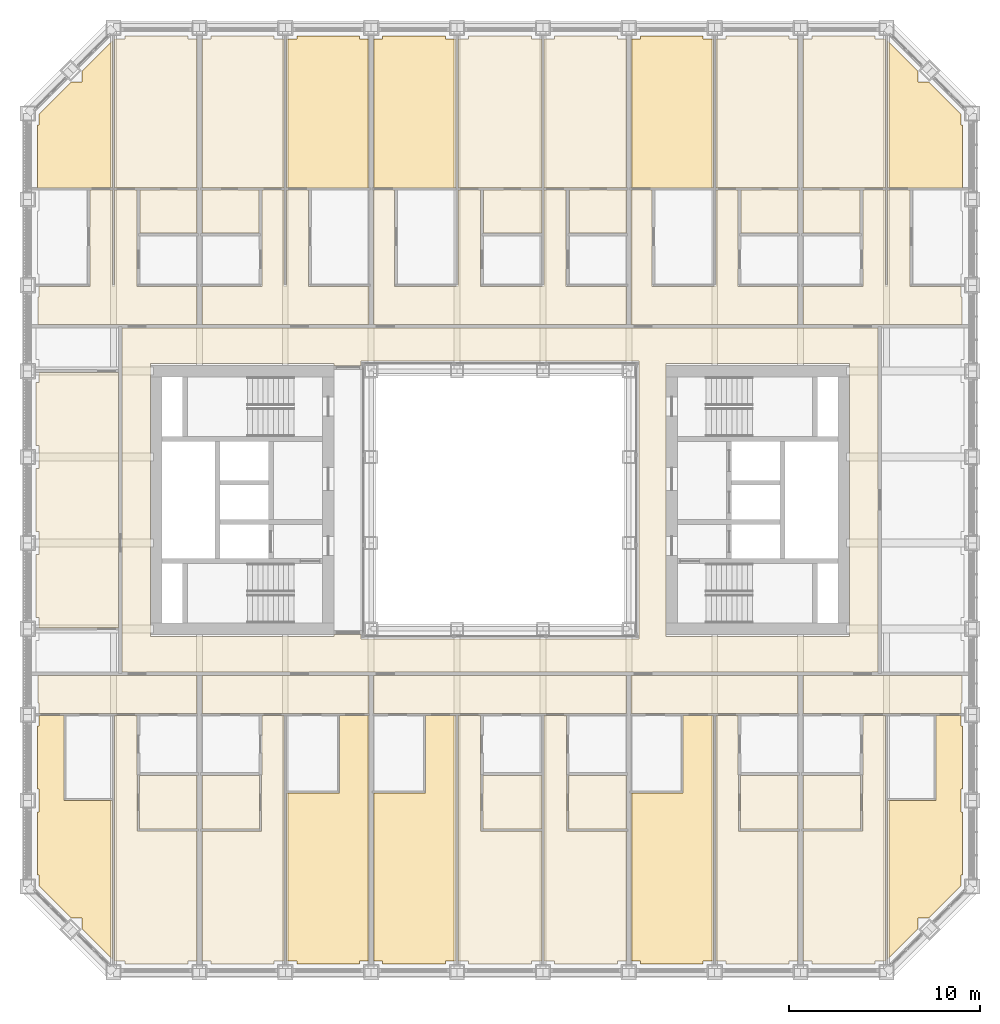
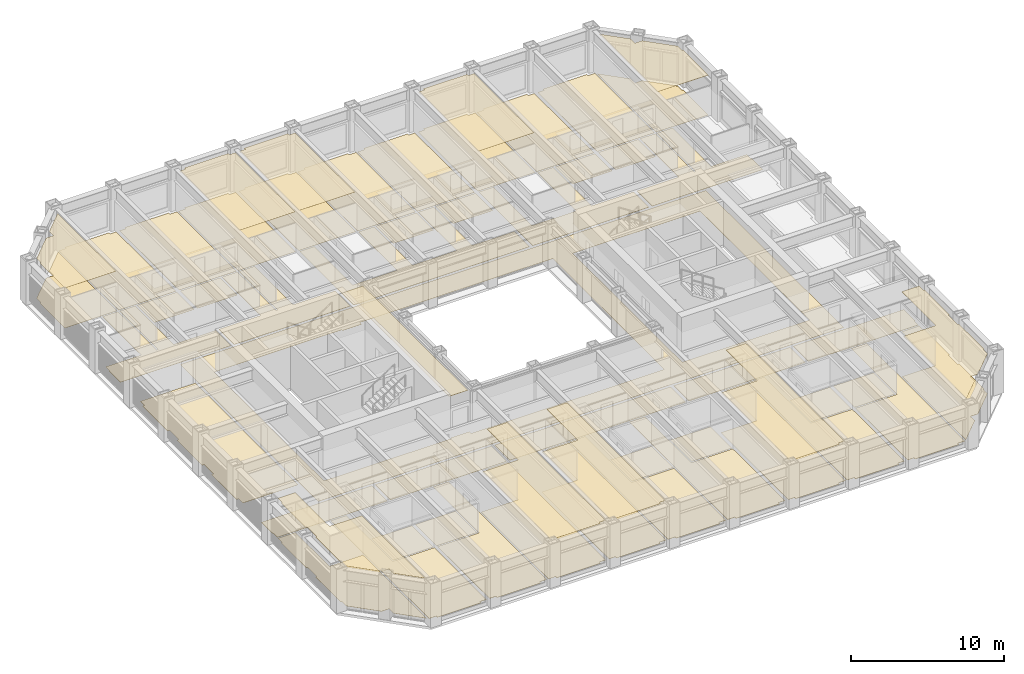
# One storey, part 19 of 21: 3 coverings.
"""IFC4 building model written with IfcOpenShell, lengths in metres."""

from ifc_helpers import new_model, si_unit, direction, frame, origin, place, context, subcontext, project, spatial, line, indexed_curve, outline, extrude, material, layer, layer_set, type_object, element, save


model = new_model("IFC4")

# Units and contexts
model_context = context("Model", 3, precision=1e-05, world=origin(), true_north=direction((0.0, 1.0)))
body_context = subcontext(model_context, "Body", "Model", "MODEL_VIEW")
ifc_project = project(units=[si_unit("LENGTHUNIT", "METRE"), si_unit("AREAUNIT", "SQUARE_METRE"), si_unit("VOLUMEUNIT", "CUBIC_METRE"), si_unit("PLANEANGLEUNIT", "RADIAN"), si_unit("MASSUNIT", "GRAM", prefix="KILO")], contexts=[model_context])

# Site, building, storey
site_placement = place(None, origin())
site = spatial("IfcSite", under=ifc_project, at=site_placement, CompositionType="ELEMENT")
building_placement = place(site_placement, origin())
building = spatial("IfcBuilding", under=site, at=building_placement, Name="Msasa Ring Tower", CompositionType="ELEMENT")
storey_placement = place(building_placement, frame((0.0, 0.0, 51.0)))
storey = spatial("IfcBuildingStorey", under=building, at=storey_placement, Name="L12", CompositionType="ELEMENT", Elevation=51.0)

# Coverings
ifc_material_1 = material(Name="Gypsum plasterboard on a steel suspension grid", Category="steel")
ifc_layer_1 = layer(ifc_material_1, 0.014892578125)
ifc_layer_set_1 = layer_set([ifc_layer_1], Name="C1 SUSPENDED PLASTERBOARD CEILING 15")
covering_type_1 = type_object("IfcCoveringType", Name="C1 SUSPENDED PLASTERBOARD CEILING 15", PredefinedType="CEILING", material=ifc_layer_set_1)
covering_1_placement = place(storey_placement, frame((0.0, 0.0, 3.175048828125)))
element("IfcCovering", 1, at=covering_1_placement, inside=storey, type_object=covering_type_1, Name="Suspended Plasterboard Ceiling 15 public rooms L12", PredefinedType="CEILING", context=body_context, shape_type="SweptSolid", body=[
    extrude(outline(indexed_curve([(-21.8994140625, -22.46337890625), (-21.8994140625, -21.8994140625), (-22.46337890625, -21.8994140625), (-24.1494140625, -20.21337890625), (-24.1494140625, -19.6494140625), (-24.239501953125, -19.6494140625), (-24.239501953125, -16.3505859375), (-24.1494140625, -16.3505859375), (-24.1494140625, -15.1494140625), (-24.239501953125, -15.1494140625), (-24.239501953125, -11.8505859375), (-24.1494140625, -11.8505859375), (-24.1494140625, -11.300537109375), (-22.8505859375, -11.300537109375), (-22.8505859375, -15.74267578125), (-20.404296875, -15.74267578125), (-20.404296875, -23.95849609375)], segments=[line(1, 2, 3, 4, 5, 6, 7, 8, 9, 10, 11, 12, 13, 14, 15, 16, 17, 1)], self_intersect=False)), origin(), (0.0, 0.0, 1.0), 0.014892578125),
    extrude(outline(indexed_curve([(-24.239501953125, 16.35546875), (-24.239501953125, 19.6494140625), (-24.1494140625, 19.6494140625), (-24.1494140625, 20.21337890625), (-22.46337890625, 21.8994140625), (-21.8994140625, 21.8994140625), (-21.8994140625, 22.46337890625), (-20.404296875, 23.95849609375), (-20.404296875, 16.35546875)], segments=[line(1, 2, 3, 4, 5, 6, 7, 8, 9, 1)], self_intersect=False)), origin(), (0.0, 0.0, 1.0), 0.014892578125),
    extrude(outline(indexed_curve([(-8.3994140625, -11.300537109375), (-6.904296875, -11.300537109375), (-6.904296875, -24.1494140625), (-7.3505859375, -24.1494140625), (-7.3505859375, -24.299560546875), (-10.6494140625, -24.299560546875), (-10.6494140625, -24.1494140625), (-11.095703125, -24.1494140625), (-11.095703125, -15.3505859375), (-8.3994140625, -15.3505859375)], segments=[line(1, 2, 3, 4, 5, 6, 7, 8, 9, 10, 1)], self_intersect=False)), origin(), (0.0, 0.0, 1.0), 0.014892578125),
    extrude(outline(indexed_curve([(-11.095703125, 16.35546875), (-11.095703125, 24.1494140625), (-10.6494140625, 24.1494140625), (-10.6494140625, 24.299560546875), (-7.3505859375, 24.299560546875), (-7.3505859375, 24.1494140625), (-6.904296875, 24.1494140625), (-6.904296875, 16.35546875)], segments=[line(1, 2, 3, 4, 5, 6, 7, 8, 1)], self_intersect=False)), origin(), (0.0, 0.0, 1.0), 0.014892578125),
    extrude(outline(indexed_curve([(-8.699462890625, -6.849609375), (-8.699462890625, 6.849609375), (-7.280029296875, 6.849609375), (-7.280029296875, -6.849609375)], segments=[line(1, 2, 3, 4, 1)], self_intersect=False)), origin(), (0.0, 0.0, 1.0), 0.014892578125),
    extrude(outline(indexed_curve([(-2.404296875, -11.300537109375), (-2.404296875, -24.1494140625), (-2.8505859375, -24.1494140625), (-2.8505859375, -24.299560546875), (-6.1494140625, -24.299560546875), (-6.1494140625, -24.1494140625), (-6.595703125, -24.1494140625), (-6.595703125, -15.3505859375), (-3.8994140625, -15.3505859375), (-3.8994140625, -11.300537109375)], segments=[line(1, 2, 3, 4, 5, 6, 7, 8, 9, 10, 1)], self_intersect=False)), origin(), (0.0, 0.0, 1.0), 0.014892578125),
    extrude(outline(indexed_curve([(-6.595703125, 16.35546875), (-6.595703125, 24.1494140625), (-6.1494140625, 24.1494140625), (-6.1494140625, 24.299560546875), (-2.8505859375, 24.299560546875), (-2.8505859375, 24.1494140625), (-2.404296875, 24.1494140625), (-2.404296875, 16.35546875)], segments=[line(1, 2, 3, 4, 5, 6, 7, 8, 1)], self_intersect=False)), origin(), (0.0, 0.0, 1.0), 0.014892578125),
    extrude(outline(indexed_curve([(11.095703125, -11.300537109375), (11.095703125, -24.1494140625), (10.6494140625, -24.1494140625), (10.6494140625, -24.299560546875), (7.3505859375, -24.299560546875), (7.3505859375, -24.1494140625), (6.904296875, -24.1494140625), (6.904296875, -15.3505859375), (9.6005859375, -15.3505859375), (9.6005859375, -11.300537109375)], segments=[line(1, 2, 3, 4, 5, 6, 7, 8, 9, 10, 1)], self_intersect=False)), origin(), (0.0, 0.0, 1.0), 0.014892578125),
    extrude(outline(indexed_curve([(6.904296875, 16.35546875), (6.904296875, 24.1494140625), (7.3505859375, 24.1494140625), (7.3505859375, 24.299560546875), (10.6494140625, 24.299560546875), (10.6494140625, 24.1494140625), (11.095703125, 24.1494140625), (11.095703125, 16.35546875)], segments=[line(1, 2, 3, 4, 5, 6, 7, 8, 1)], self_intersect=False)), origin(), (0.0, 0.0, 1.0), 0.014892578125),
    extrude(outline(indexed_curve([(22.8505859375, -11.300537109375), (24.1494140625, -11.300537109375), (24.1494140625, -11.8505859375), (24.239501953125, -11.8505859375), (24.239501953125, -15.1494140625), (24.1494140625, -15.1494140625), (24.1494140625, -16.3505859375), (24.239501953125, -16.3505859375), (24.239501953125, -19.6494140625), (24.1494140625, -19.6494140625), (24.1494140625, -20.21337890625), (22.46337890625, -21.8994140625), (21.8994140625, -21.8994140625), (21.8994140625, -22.46337890625), (20.404296875, -23.95849609375), (20.404296875, -15.74267578125), (22.8505859375, -15.74267578125)], segments=[line(1, 2, 3, 4, 5, 6, 7, 8, 9, 10, 11, 12, 13, 14, 15, 16, 17, 1)], self_intersect=False)), origin(), (0.0, 0.0, 1.0), 0.014892578125),
    extrude(outline(indexed_curve([(20.404296875, 16.35546875), (20.404296875, 23.95849609375), (21.8994140625, 22.46337890625), (21.8994140625, 21.8994140625), (22.46337890625, 21.8994140625), (24.1494140625, 20.21337890625), (24.1494140625, 19.6494140625), (24.239501953125, 19.6494140625), (24.239501953125, 16.35546875)], segments=[line(1, 2, 3, 4, 5, 6, 7, 8, 9, 1)], self_intersect=False)), origin(), (0.0, 0.0, 1.0), 0.014892578125),
])
ifc_material_2 = material(Name="Wool-blend carpet on felt underlay", Category="textile")
ifc_layer_2 = layer(ifc_material_2, 0.011962890625)
ifc_layer_set_2 = layer_set([ifc_layer_2], Name="F2 CARPET ON UNDERLAY 12")
covering_type_2 = type_object("IfcCoveringType", Name="F2 CARPET ON UNDERLAY 12", PredefinedType="FLOORING", material=ifc_layer_set_2)
covering_2_placement = place(storey_placement, origin())
element("IfcCovering", 2, at=covering_2_placement, inside=storey, type_object=covering_type_2, Name="Carpet On Underlay 12 L12", PredefinedType="FLOORING", context=body_context, shape_type="SweptSolid", body=[
    extrude(outline(indexed_curve([(-24.239501953125, -16.3505859375), (-24.1494140625, -16.3505859375), (-24.1494140625, -15.1494140625), (-24.239501953125, -15.1494140625), (-24.239501953125, -11.8505859375), (-24.1494140625, -11.8505859375), (-24.1494140625, -11.300537109375), (-22.8505859375, -11.300537109375), (-22.8505859375, -15.74267578125), (-20.310546875, -15.74267578125), (-20.310546875, -24.052490234375), (-21.8994140625, -22.46337890625), (-21.8994140625, -21.8994140625), (-22.46337890625, -21.8994140625), (-24.1494140625, -20.21337890625), (-24.1494140625, -19.6494140625), (-24.239501953125, -19.6494140625)], segments=[line(1, 2, 3, 4, 5, 6, 7, 8, 9, 10, 11, 12, 13, 14, 15, 16, 17, 1)], self_intersect=False)), origin(), (0.0, 0.0, 1.0), 0.011962890625),
    extrude(outline(indexed_curve([(-22.46337890625, 21.8994140625), (-21.8994140625, 21.8994140625), (-21.8994140625, 22.46337890625), (-20.310546875, 24.052490234375), (-20.310546875, 16.35546875), (-24.239501953125, 16.35546875), (-24.239501953125, 19.6494140625), (-24.1494140625, 19.6494140625), (-24.1494140625, 20.21337890625)], segments=[line(1, 2, 3, 4, 5, 6, 7, 8, 9, 1)], self_intersect=False)), origin(), (0.0, 0.0, 1.0), 0.011962890625),
    extrude(outline(indexed_curve([(-19.799560546875, -8.99951171875), (-19.799560546875, 8.99951171875), (19.799560546875, 8.99951171875), (19.799560546875, -8.99951171875)], segments=[line(1, 2, 3, 4, 1)], self_intersect=False), holes=[indexed_curve([(18.300537109375, -7.150390625), (18.300537109375, 7.150390625), (8.699462890625, 7.150390625), (8.699462890625, -7.150390625)], segments=[line(1, 2, 3, 4, 1)], self_intersect=False), indexed_curve([(-8.699462890625, 7.150390625), (-18.300537109375, 7.150390625), (-18.300537109375, -7.150390625), (-8.699462890625, -7.150390625), (-8.699462890625, -7.050537109375), (-7.280029296875, -7.050537109375), (-7.275390625, -7.275390625), (-7.22998046875, -7.280029296875), (7.275390625, -7.275390625), (7.275390625, 7.275390625), (-7.22998046875, 7.280029296875), (-7.275390625, 7.275390625), (-7.280029296875, 7.050537109375), (-8.699462890625, 7.050537109375)], segments=[line(1, 2, 3, 4, 5, 6, 7, 8, 9, 10, 11, 12, 13, 14, 1)], self_intersect=False)]), origin(), (0.0, 0.0, 1.0), 0.011962890625),
    extrude(outline(indexed_curve([(-15.87548828125, -14.430419921875), (-15.87548828125, -17.2353515625), (-18.8994140625, -17.2353515625), (-18.8994140625, -14.430419921875)], segments=[line(1, 2, 3, 4, 1)], self_intersect=False)), origin(), (0.0, 0.0, 1.0), 0.011962890625),
    extrude(outline(indexed_curve([(-18.869384765625, 13.98046875), (-18.869384765625, 16.244384765625), (-15.87548828125, 16.244384765625), (-15.87548828125, 13.98046875)], segments=[line(1, 2, 3, 4, 1)], self_intersect=False)), origin(), (0.0, 0.0, 1.0), 0.011962890625),
    extrude(outline(indexed_curve([(-12.6005859375, -17.238037109375), (-15.62451171875, -17.238037109375), (-15.62451171875, -14.430419921875), (-12.6005859375, -14.430419921875)], segments=[line(1, 2, 3, 4, 1)], self_intersect=False)), origin(), (0.0, 0.0, 1.0), 0.011962890625),
    extrude(outline(indexed_curve([(-12.630615234375, 16.244384765625), (-12.630615234375, 13.98046875), (-15.62451171875, 13.98046875), (-15.62451171875, 16.244384765625)], segments=[line(1, 2, 3, 4, 1)], self_intersect=False)), origin(), (0.0, 0.0, 1.0), 0.011962890625),
    extrude(outline(indexed_curve([(-10.6494140625, -24.299560546875), (-10.6494140625, -24.1494140625), (-11.189453125, -24.1494140625), (-11.189453125, -15.3505859375), (-8.3994140625, -15.3505859375), (-8.3994140625, -11.300537109375), (-6.87548828125, -11.300537109375), (-6.87548828125, -24.1494140625), (-7.3505859375, -24.1494140625), (-7.3505859375, -24.299560546875)], segments=[line(1, 2, 3, 4, 5, 6, 7, 8, 9, 10, 1)], self_intersect=False)), origin(), (0.0, 0.0, 1.0), 0.011962890625),
    extrude(outline(indexed_curve([(-7.3505859375, 24.299560546875), (-7.3505859375, 24.1494140625), (-6.87548828125, 24.1494140625), (-6.87548828125, 16.35546875), (-11.189453125, 16.35546875), (-11.189453125, 24.1494140625), (-10.6494140625, 24.1494140625), (-10.6494140625, 24.299560546875)], segments=[line(1, 2, 3, 4, 5, 6, 7, 8, 1)], self_intersect=False)), origin(), (0.0, 0.0, 1.0), 0.011962890625),
    extrude(outline(indexed_curve([(-2.310546875, -24.1494140625), (-2.8505859375, -24.1494140625), (-2.8505859375, -24.299560546875), (-6.1494140625, -24.299560546875), (-6.1494140625, -24.1494140625), (-6.62451171875, -24.1494140625), (-6.62451171875, -15.3505859375), (-3.8994140625, -15.3505859375), (-3.8994140625, -11.300537109375), (-2.310546875, -11.300537109375)], segments=[line(1, 2, 3, 4, 5, 6, 7, 8, 9, 10, 1)], self_intersect=False)), origin(), (0.0, 0.0, 1.0), 0.011962890625),
    extrude(outline(indexed_curve([(-2.8505859375, 24.299560546875), (-2.8505859375, 24.1494140625), (-2.310546875, 24.1494140625), (-2.310546875, 16.35546875), (-6.62451171875, 16.35546875), (-6.62451171875, 24.1494140625), (-6.1494140625, 24.1494140625), (-6.1494140625, 24.299560546875)], segments=[line(1, 2, 3, 4, 5, 6, 7, 8, 1)], self_intersect=False)), origin(), (0.0, 0.0, 1.0), 0.011962890625),
    extrude(outline(indexed_curve([(2.189453125, -17.238037109375), (-0.8994140625, -17.238037109375), (-0.8994140625, -14.430419921875), (2.189453125, -14.430419921875)], segments=[line(1, 2, 3, 4, 1)], self_intersect=False)), origin(), (0.0, 0.0, 1.0), 0.011962890625),
    extrude(outline(indexed_curve([(2.189453125, 16.244384765625), (2.189453125, 13.98046875), (-0.869384765625, 13.98046875), (-0.869384765625, 16.244384765625)], segments=[line(1, 2, 3, 4, 1)], self_intersect=False)), origin(), (0.0, 0.0, 1.0), 0.011962890625),
    extrude(outline(indexed_curve([(6.62451171875, -14.430419921875), (6.62451171875, -17.238037109375), (3.6005859375, -17.238037109375), (3.6005859375, -14.430419921875)], segments=[line(1, 2, 3, 4, 1)], self_intersect=False)), origin(), (0.0, 0.0, 1.0), 0.011962890625),
    extrude(outline(indexed_curve([(3.630615234375, 13.98046875), (3.630615234375, 16.244384765625), (6.62451171875, 16.244384765625), (6.62451171875, 13.98046875)], segments=[line(1, 2, 3, 4, 1)], self_intersect=False)), origin(), (0.0, 0.0, 1.0), 0.011962890625),
    extrude(outline(indexed_curve([(7.3505859375, -24.299560546875), (7.3505859375, -24.1494140625), (6.87548828125, -24.1494140625), (6.87548828125, -15.3505859375), (9.6005859375, -15.3505859375), (9.6005859375, -11.300537109375), (11.189453125, -11.300537109375), (11.189453125, -24.1494140625), (10.6494140625, -24.1494140625), (10.6494140625, -24.299560546875)], segments=[line(1, 2, 3, 4, 5, 6, 7, 8, 9, 10, 1)], self_intersect=False)), origin(), (0.0, 0.0, 1.0), 0.011962890625),
    extrude(outline(indexed_curve([(10.6494140625, 24.299560546875), (10.6494140625, 24.1494140625), (11.189453125, 24.1494140625), (11.189453125, 16.35546875), (6.87548828125, 16.35546875), (6.87548828125, 24.1494140625), (7.3505859375, 24.1494140625), (7.3505859375, 24.299560546875)], segments=[line(1, 2, 3, 4, 5, 6, 7, 8, 1)], self_intersect=False)), origin(), (0.0, 0.0, 1.0), 0.011962890625),
    extrude(outline(indexed_curve([(12.6005859375, -17.238037109375), (12.6005859375, -14.430419921875), (15.62451171875, -14.430419921875), (15.62451171875, -17.238037109375)], segments=[line(1, 2, 3, 4, 1)], self_intersect=False)), origin(), (0.0, 0.0, 1.0), 0.011962890625),
    extrude(outline(indexed_curve([(12.630615234375, 13.98046875), (12.630615234375, 16.244384765625), (15.62451171875, 16.244384765625), (15.62451171875, 13.98046875)], segments=[line(1, 2, 3, 4, 1)], self_intersect=False)), origin(), (0.0, 0.0, 1.0), 0.011962890625),
    extrude(outline(indexed_curve([(18.8994140625, -17.2353515625), (15.87548828125, -17.2353515625), (15.87548828125, -14.430419921875), (18.8994140625, -14.430419921875)], segments=[line(1, 2, 3, 4, 1)], self_intersect=False)), origin(), (0.0, 0.0, 1.0), 0.011962890625),
    extrude(outline(indexed_curve([(18.869384765625, 16.244384765625), (18.869384765625, 13.98046875), (15.87548828125, 13.98046875), (15.87548828125, 16.244384765625)], segments=[line(1, 2, 3, 4, 1)], self_intersect=False)), origin(), (0.0, 0.0, 1.0), 0.011962890625),
    extrude(outline(indexed_curve([(22.46337890625, -21.8994140625), (21.8994140625, -21.8994140625), (21.8994140625, -22.46337890625), (20.310546875, -24.052490234375), (20.310546875, -15.74267578125), (22.8505859375, -15.74267578125), (22.8505859375, -11.300537109375), (24.1494140625, -11.300537109375), (24.1494140625, -11.8505859375), (24.239501953125, -11.8505859375), (24.239501953125, -15.1494140625), (24.1494140625, -15.1494140625), (24.1494140625, -16.3505859375), (24.239501953125, -16.3505859375), (24.239501953125, -19.6494140625), (24.1494140625, -19.6494140625), (24.1494140625, -20.21337890625)], segments=[line(1, 2, 3, 4, 5, 6, 7, 8, 9, 10, 11, 12, 13, 14, 15, 16, 17, 1)], self_intersect=False)), origin(), (0.0, 0.0, 1.0), 0.011962890625),
    extrude(outline(indexed_curve([(21.8994140625, 22.46337890625), (21.8994140625, 21.8994140625), (22.46337890625, 21.8994140625), (24.1494140625, 20.21337890625), (24.1494140625, 19.6494140625), (24.239501953125, 19.6494140625), (24.239501953125, 16.35546875), (20.310546875, 16.35546875), (20.310546875, 24.052490234375)], segments=[line(1, 2, 3, 4, 5, 6, 7, 8, 9, 1)], self_intersect=False)), origin(), (0.0, 0.0, 1.0), 0.011962890625),
])
ifc_material_3 = material(Name="Engineered oak boards on an acoustic underlay", Category="wood")
ifc_layer_3 = layer(ifc_material_3, 0.01806640625)
ifc_layer_set_3 = layer_set([ifc_layer_3], Name="F3 ENGINEERED TIMBER ON ACOUSTIC UNDERLAY 18")
covering_type_3 = type_object("IfcCoveringType", Name="F3 ENGINEERED TIMBER ON ACOUSTIC UNDERLAY 18", PredefinedType="FLOORING", material=ifc_layer_set_3)
covering_3_placement = place(storey_placement, origin())
element("IfcCovering", 3, at=covering_3_placement, inside=storey, type_object=covering_type_3, Name="Engineered Timber On Acoustic Underlay 18 L12", PredefinedType="FLOORING", context=body_context, shape_type="SweptSolid", body=[
    extrude(outline(indexed_curve([(-24.1494140625, -6.694580078125), (-24.1494140625, -6.1494140625), (-24.299560546875, -6.1494140625), (-24.299560546875, -2.8505859375), (-24.1494140625, -2.8505859375), (-24.1494140625, -1.6494140625), (-24.299560546875, -1.6494140625), (-24.299560546875, 1.6494140625), (-24.1494140625, 1.6494140625), (-24.1494140625, 2.8505859375), (-24.299560546875, 2.8505859375), (-24.299560546875, 6.1494140625), (-24.1494140625, 6.1494140625), (-24.1494140625, 6.66943359375), (-20.00048828125, 6.66943359375), (-20.00048828125, -6.694580078125)], segments=[line(1, 2, 3, 4, 5, 6, 7, 8, 9, 10, 11, 12, 13, 14, 15, 16, 1)], self_intersect=False)), origin(), (0.0, 0.0, 1.0), 0.01806640625),
    extrude(outline(indexed_curve([(-15.87548828125, -9.200439453125), (-15.87548828125, -11.199462890625), (-24.1494140625, -11.199462890625), (-24.1494140625, -10.6494140625), (-24.199462890625, -10.6494140625), (-24.199462890625, -9.200439453125)], segments=[line(1, 2, 3, 4, 5, 6, 1)], self_intersect=False)), origin(), (0.0, 0.0, 1.0), 0.01806640625),
    extrude(outline(indexed_curve([(-20.189453125, 16.244384765625), (-19.030517578125, 16.244384765625), (-19.030517578125, 11.199462890625), (-15.87548828125, 11.199462890625), (-15.87548828125, 9.200439453125), (-24.199462890625, 9.200439453125), (-24.199462890625, 10.6494140625), (-24.1494140625, 10.6494140625), (-24.1494140625, 11.199462890625), (-21.469482421875, 11.199462890625), (-21.469482421875, 16.244384765625), (-20.310546875, 16.244384765625), (-20.310546875, 11.199462890625), (-20.189453125, 11.199462890625)], segments=[line(1, 2, 3, 4, 5, 6, 7, 8, 9, 10, 11, 12, 13, 14, 1)], self_intersect=False)), origin(), (0.0, 0.0, 1.0), 0.01806640625),
    extrude(outline(indexed_curve([(-20.189453125, -11.300537109375), (-19.025390625, -11.300537109375), (-19.025390625, -14.39990234375), (-19.00048828125, -14.39990234375), (-19.00048828125, -17.34130859375), (-15.87548828125, -17.34130859375), (-15.87548828125, -24.1494140625), (-16.3505859375, -24.1494140625), (-16.3505859375, -24.299560546875), (-19.6494140625, -24.299560546875), (-19.6494140625, -24.1494140625), (-20.189453125, -24.1494140625)], segments=[line(1, 2, 3, 4, 5, 6, 7, 8, 9, 10, 11, 12, 1)], self_intersect=False)), origin(), (0.0, 0.0, 1.0), 0.01806640625),
    extrude(outline(indexed_curve([(-20.189453125, 24.1494140625), (-19.6494140625, 24.1494140625), (-19.6494140625, 24.299560546875), (-16.3505859375, 24.299560546875), (-16.3505859375, 24.1494140625), (-15.87548828125, 24.1494140625), (-15.87548828125, 16.35546875), (-20.189453125, 16.35546875)], segments=[line(1, 2, 3, 4, 5, 6, 7, 8, 1)], self_intersect=False)), origin(), (0.0, 0.0, 1.0), 0.01806640625),
    extrude(outline(indexed_curve([(-11.310546875, -24.1494140625), (-11.8505859375, -24.1494140625), (-11.8505859375, -24.299560546875), (-15.1494140625, -24.299560546875), (-15.1494140625, -24.1494140625), (-15.62451171875, -24.1494140625), (-15.62451171875, -17.343994140625), (-12.49951171875, -17.343994140625), (-12.49951171875, -14.39990234375), (-12.474609375, -14.39990234375), (-12.474609375, -11.300537109375), (-11.310546875, -11.300537109375)], segments=[line(1, 2, 3, 4, 5, 6, 7, 8, 9, 10, 11, 12, 1)], self_intersect=False)), origin(), (0.0, 0.0, 1.0), 0.01806640625),
    extrude(outline(indexed_curve([(-15.62451171875, -11.199462890625), (-15.62451171875, -9.200439453125), (-6.87548828125, -9.200439453125), (-6.87548828125, -11.199462890625)], segments=[line(1, 2, 3, 4, 1)], self_intersect=False)), origin(), (0.0, 0.0, 1.0), 0.01806640625),
    extrude(outline(indexed_curve([(-11.189453125, 16.244384765625), (-10.030517578125, 16.244384765625), (-10.030517578125, 11.199462890625), (-6.87548828125, 11.199462890625), (-6.87548828125, 9.200439453125), (-15.62451171875, 9.200439453125), (-15.62451171875, 11.199462890625), (-12.469482421875, 11.199462890625), (-12.469482421875, 16.244384765625), (-11.310546875, 16.244384765625), (-11.310546875, 11.199462890625), (-11.189453125, 11.199462890625)], segments=[line(1, 2, 3, 4, 5, 6, 7, 8, 9, 10, 11, 12, 1)], self_intersect=False)), origin(), (0.0, 0.0, 1.0), 0.01806640625),
    extrude(outline(indexed_curve([(-11.8505859375, 24.299560546875), (-11.8505859375, 24.1494140625), (-11.310546875, 24.1494140625), (-11.310546875, 16.35546875), (-15.62451171875, 16.35546875), (-15.62451171875, 24.1494140625), (-15.1494140625, 24.1494140625), (-15.1494140625, 24.299560546875)], segments=[line(1, 2, 3, 4, 5, 6, 7, 8, 1)], self_intersect=False)), origin(), (0.0, 0.0, 1.0), 0.01806640625),
    extrude(outline(indexed_curve([(-6.62451171875, -11.199462890625), (-6.62451171875, -9.200439453125), (6.62451171875, -9.200439453125), (6.62451171875, -11.199462890625)], segments=[line(1, 2, 3, 4, 1)], self_intersect=False)), origin(), (0.0, 0.0, 1.0), 0.01806640625),
    extrude(outline(indexed_curve([(-2.189453125, 16.244384765625), (-1.030517578125, 16.244384765625), (-1.030517578125, 11.199462890625), (2.310546875, 11.199462890625), (2.310546875, 16.244384765625), (3.469482421875, 16.244384765625), (3.469482421875, 11.199462890625), (6.62451171875, 11.199462890625), (6.62451171875, 9.200439453125), (-6.62451171875, 9.200439453125), (-6.62451171875, 16.244384765625), (-5.530517578125, 16.244384765625), (-5.530517578125, 11.199462890625), (-2.189453125, 11.199462890625)], segments=[line(1, 2, 3, 4, 5, 6, 7, 8, 9, 10, 11, 12, 13, 14, 1)], self_intersect=False)), origin(), (0.0, 0.0, 1.0), 0.01806640625),
    extrude(outline(indexed_curve([(-1.025390625, -11.300537109375), (-1.025390625, -14.39990234375), (-1.00048828125, -14.39990234375), (-1.00048828125, -17.343994140625), (2.189453125, -17.343994140625), (2.189453125, -24.1494140625), (1.6494140625, -24.1494140625), (1.6494140625, -24.299560546875), (-1.6494140625, -24.299560546875), (-1.6494140625, -24.1494140625), (-2.189453125, -24.1494140625), (-2.189453125, -11.300537109375)], segments=[line(1, 2, 3, 4, 5, 6, 7, 8, 9, 10, 11, 12, 1)], self_intersect=False)), origin(), (0.0, 0.0, 1.0), 0.01806640625),
    extrude(outline(indexed_curve([(-2.189453125, 24.1494140625), (-1.6494140625, 24.1494140625), (-1.6494140625, 24.299560546875), (1.6494140625, 24.299560546875), (1.6494140625, 24.1494140625), (2.189453125, 24.1494140625), (2.189453125, 16.35546875), (-2.189453125, 16.35546875)], segments=[line(1, 2, 3, 4, 5, 6, 7, 8, 1)], self_intersect=False)), origin(), (0.0, 0.0, 1.0), 0.01806640625),
    extrude(outline(indexed_curve([(3.474609375, -11.300537109375), (3.474609375, -14.39990234375), (3.49951171875, -14.39990234375), (3.49951171875, -17.343994140625), (6.62451171875, -17.343994140625), (6.62451171875, -24.1494140625), (6.1494140625, -24.1494140625), (6.1494140625, -24.299560546875), (2.8505859375, -24.299560546875), (2.8505859375, -24.1494140625), (2.310546875, -24.1494140625), (2.310546875, -11.300537109375)], segments=[line(1, 2, 3, 4, 5, 6, 7, 8, 9, 10, 11, 12, 1)], self_intersect=False)), origin(), (0.0, 0.0, 1.0), 0.01806640625),
    extrude(outline(indexed_curve([(2.310546875, 24.1494140625), (2.8505859375, 24.1494140625), (2.8505859375, 24.299560546875), (6.1494140625, 24.299560546875), (6.1494140625, 24.1494140625), (6.62451171875, 24.1494140625), (6.62451171875, 16.35546875), (2.310546875, 16.35546875)], segments=[line(1, 2, 3, 4, 5, 6, 7, 8, 1)], self_intersect=False)), origin(), (0.0, 0.0, 1.0), 0.01806640625),
    extrude(outline(indexed_curve([(6.87548828125, -11.199462890625), (6.87548828125, -9.200439453125), (15.62451171875, -9.200439453125), (15.62451171875, -11.199462890625)], segments=[line(1, 2, 3, 4, 1)], self_intersect=False)), origin(), (0.0, 0.0, 1.0), 0.01806640625),
    extrude(outline(indexed_curve([(11.310546875, 16.244384765625), (12.469482421875, 16.244384765625), (12.469482421875, 11.199462890625), (15.62451171875, 11.199462890625), (15.62451171875, 9.200439453125), (6.87548828125, 9.200439453125), (6.87548828125, 16.244384765625), (7.969482421875, 16.244384765625), (7.969482421875, 11.199462890625), (11.310546875, 11.199462890625)], segments=[line(1, 2, 3, 4, 5, 6, 7, 8, 9, 10, 1)], self_intersect=False)), origin(), (0.0, 0.0, 1.0), 0.01806640625),
    extrude(outline(indexed_curve([(11.310546875, -11.300537109375), (12.474609375, -11.300537109375), (12.474609375, -14.39990234375), (12.49951171875, -14.39990234375), (12.49951171875, -17.343994140625), (15.62451171875, -17.343994140625), (15.62451171875, -24.1494140625), (15.1494140625, -24.1494140625), (15.1494140625, -24.299560546875), (11.8505859375, -24.299560546875), (11.8505859375, -24.1494140625), (11.310546875, -24.1494140625)], segments=[line(1, 2, 3, 4, 5, 6, 7, 8, 9, 10, 11, 12, 1)], self_intersect=False)), origin(), (0.0, 0.0, 1.0), 0.01806640625),
    extrude(outline(indexed_curve([(15.1494140625, 24.299560546875), (15.1494140625, 24.1494140625), (15.62451171875, 24.1494140625), (15.62451171875, 16.35546875), (11.310546875, 16.35546875), (11.310546875, 24.1494140625), (11.8505859375, 24.1494140625), (11.8505859375, 24.299560546875)], segments=[line(1, 2, 3, 4, 5, 6, 7, 8, 1)], self_intersect=False)), origin(), (0.0, 0.0, 1.0), 0.01806640625),
    extrude(outline(indexed_curve([(20.189453125, -24.1494140625), (19.6494140625, -24.1494140625), (19.6494140625, -24.299560546875), (16.3505859375, -24.299560546875), (16.3505859375, -24.1494140625), (15.87548828125, -24.1494140625), (15.87548828125, -17.34130859375), (19.00048828125, -17.34130859375), (19.00048828125, -14.39990234375), (19.025390625, -14.39990234375), (19.025390625, -11.300537109375), (20.189453125, -11.300537109375)], segments=[line(1, 2, 3, 4, 5, 6, 7, 8, 9, 10, 11, 12, 1)], self_intersect=False)), origin(), (0.0, 0.0, 1.0), 0.01806640625),
    extrude(outline(indexed_curve([(24.199462890625, -9.200439453125), (24.199462890625, -10.6494140625), (24.1494140625, -10.6494140625), (24.1494140625, -11.199462890625), (15.87548828125, -11.199462890625), (15.87548828125, -9.200439453125)], segments=[line(1, 2, 3, 4, 5, 6, 1)], self_intersect=False)), origin(), (0.0, 0.0, 1.0), 0.01806640625),
    extrude(outline(indexed_curve([(20.310546875, 16.244384765625), (21.469482421875, 16.244384765625), (21.469482421875, 11.199462890625), (24.1494140625, 11.199462890625), (24.1494140625, 10.6494140625), (24.199462890625, 10.6494140625), (24.199462890625, 9.200439453125), (15.87548828125, 9.200439453125), (15.87548828125, 11.199462890625), (19.030517578125, 11.199462890625), (19.030517578125, 16.244384765625), (20.189453125, 16.244384765625), (20.189453125, 11.199462890625), (20.310546875, 11.199462890625)], segments=[line(1, 2, 3, 4, 5, 6, 7, 8, 9, 10, 11, 12, 13, 14, 1)], self_intersect=False)), origin(), (0.0, 0.0, 1.0), 0.01806640625),
    extrude(outline(indexed_curve([(19.6494140625, 24.299560546875), (19.6494140625, 24.1494140625), (20.189453125, 24.1494140625), (20.189453125, 16.35546875), (15.87548828125, 16.35546875), (15.87548828125, 24.1494140625), (16.3505859375, 24.1494140625), (16.3505859375, 24.299560546875)], segments=[line(1, 2, 3, 4, 5, 6, 7, 8, 1)], self_intersect=False)), origin(), (0.0, 0.0, 1.0), 0.01806640625),
])

save(model, "model.ifc")
